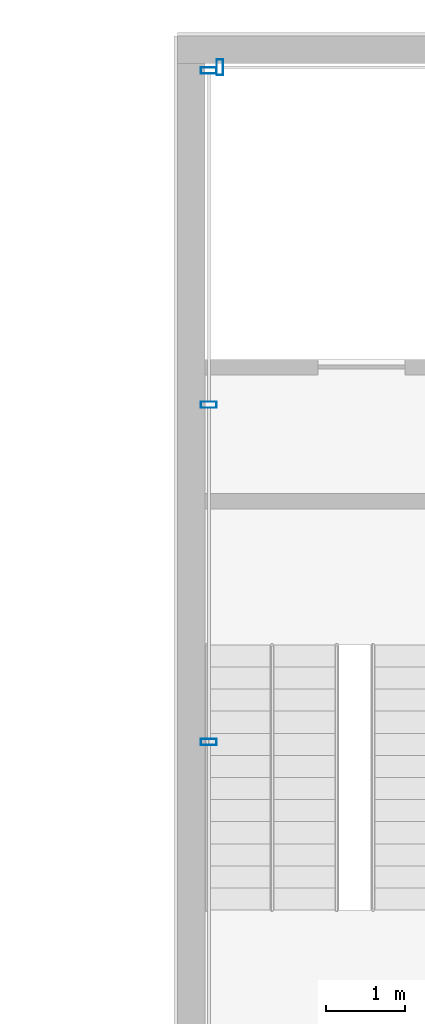
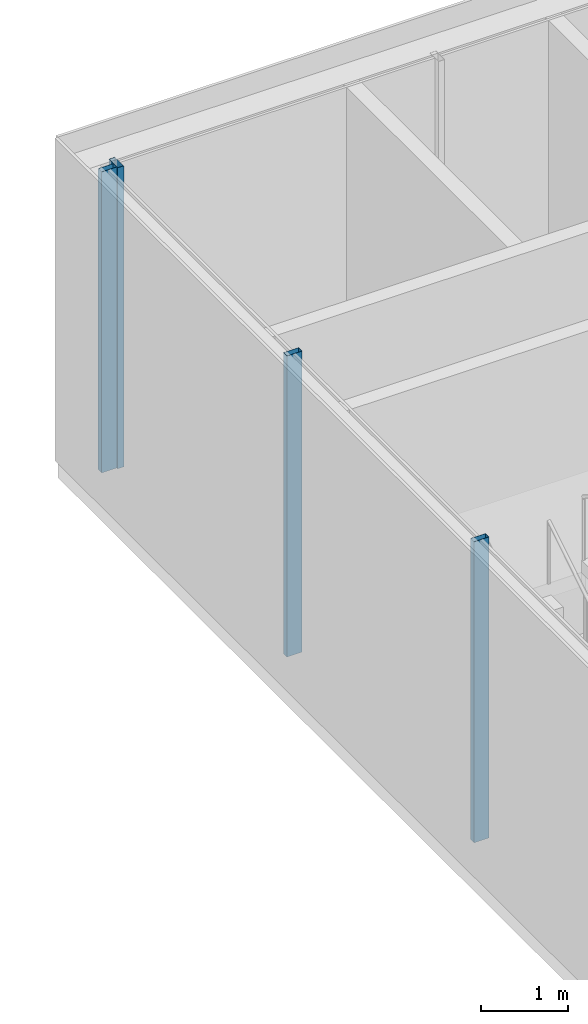
# One storey, part 5 of 11: 4 members, 2 elements without a shape of their own.
"""IFC4 building model written with IfcOpenShell, lengths in metres."""

from ifc_helpers import new_model, si_unit, direction, frame, origin, origin_2d, place, context, subcontext, project, spatial, hollow_rectangle, extrude, material, material_profile, profile_set, type_object, element, aggregate, save


model = new_model("IFC4")

# Units and contexts
model_context = context("Model", 3, precision=1e-05, world=origin(), true_north=direction((0.0, 1.0)))
body_context = subcontext(model_context, "Body", "Model", "MODEL_VIEW")
ifc_project = project(units=[si_unit("LENGTHUNIT", "METRE"), si_unit("AREAUNIT", "SQUARE_METRE"), si_unit("VOLUMEUNIT", "CUBIC_METRE"), si_unit("PLANEANGLEUNIT", "RADIAN"), si_unit("MASSUNIT", "GRAM", prefix="KILO")], contexts=[model_context])

# Site, building, storey
site_placement = place(None, origin())
site = spatial("IfcSite", under=ifc_project, at=site_placement, CompositionType="ELEMENT")
building_placement = place(site_placement, origin())
building = spatial("IfcBuilding", under=site, at=building_placement, Name="Altepetl Exchange Towers", CompositionType="ELEMENT")
storey_placement = place(building_placement, frame((0.0, 0.0, 274.60009765625)))
storey = spatial("IfcBuildingStorey", under=building, at=storey_placement, Name="L69 Crown plant", CompositionType="ELEMENT", Elevation=274.60009765625)

# Curtain wall, member
ifc_material_1 = material(Name="Aluminium 6063-T6 glazing", Category="aluminium")
curtain_wall_type = type_object("IfcCurtainWallType", Name="Crown glazing system", PredefinedType="NOTDEFINED", material=ifc_material_1)
curtain_wall_1_placement = place(storey_placement, origin())
curtain_wall_1 = element("IfcCurtainWall", 1, at=curtain_wall_1_placement, inside=storey, type_object=curtain_wall_type, Name="CW7 run", PredefinedType="NOTDEFINED")
ifc_material_2 = material(Name="Aluminium 6063-T6", Category="aluminium")
ifc_material_profile = material_profile(ifc_material_2, hollow_rectangle(XDim=0.080078125, YDim=0.199951171875, WallThickness=0.0029296875, at=origin_2d()), Name="Mullion 80x200 hollow aluminium")
ifc_profile_set = profile_set([ifc_material_profile], Name="Aluminium 6063-T6")
member_type = type_object("IfcMemberType", Name="Mullion 80x200 hollow aluminium", PredefinedType="MULLION", material=ifc_profile_set)
member_1_placement = place(storey_placement, frame((41.0400390625, 58.10009765625, 0.0), z_axis=(0.0, 0.0, 1.0), x_axis=(-1.0, 0.0, 0.0)))
member_1 = element("IfcMember", 2, at=member_1_placement, type_object=member_type, Name="MU5 mullion", PredefinedType="MULLION", context=body_context, shape_type="SweptSolid", body=[
    extrude(hollow_rectangle(XDim=0.080078125, YDim=0.199951171875, WallThickness=0.0029296875, at=origin_2d()), origin(), (0.0, 0.0, 1.0), 4.199951171875),
])
aggregate(curtain_wall_1, [member_1])

# Curtain wall, members
curtain_wall_2_placement = place(storey_placement, origin())
curtain_wall_2 = element("IfcCurtainWall", 3, at=curtain_wall_2_placement, inside=storey, type_object=curtain_wall_type, Name="CW7 run", PredefinedType="NOTDEFINED")
member_2_placement = place(storey_placement, frame((40.89990234375, 58.06005859375, 0.0), z_axis=(0.0, 0.0, 1.0), x_axis=(0.0, -1.0, 0.0)))
member_2 = element("IfcMember", 4, at=member_2_placement, type_object=member_type, Name="MU5 mullion", PredefinedType="MULLION", context=body_context, shape_type="SweptSolid", body=[
    extrude(hollow_rectangle(XDim=0.080078125, YDim=0.199951171875, WallThickness=0.0029296875, at=origin_2d()), origin(), (0.0, 0.0, 1.0), 4.199951171875),
])
member_3_placement = place(storey_placement, frame((40.89990234375, 53.824951171875, 0.0), z_axis=(0.0, 0.0, 1.0), x_axis=(0.0, -1.0, 0.0)))
member_3 = element("IfcMember", 5, at=member_3_placement, type_object=member_type, Name="MU5 mullion", PredefinedType="MULLION", context=body_context, shape_type="SweptSolid", body=[
    extrude(hollow_rectangle(XDim=0.080078125, YDim=0.199951171875, WallThickness=0.0029296875, at=origin_2d()), origin(), (0.0, 0.0, 1.0), 4.199951171875),
])
member_4_placement = place(storey_placement, frame((40.89990234375, 49.550048828125, 0.0), z_axis=(0.0, 0.0, 1.0), x_axis=(0.0, -1.0, 0.0)))
member_4 = element("IfcMember", 6, at=member_4_placement, type_object=member_type, Name="MU5 mullion", PredefinedType="MULLION", context=body_context, shape_type="SweptSolid", body=[
    extrude(hollow_rectangle(XDim=0.080078125, YDim=0.199951171875, WallThickness=0.0029296875, at=origin_2d()), origin(), (0.0, 0.0, 1.0), 4.199951171875),
])
aggregate(curtain_wall_2, [member_2, member_3, member_4])

save(model, "model.ifc")
